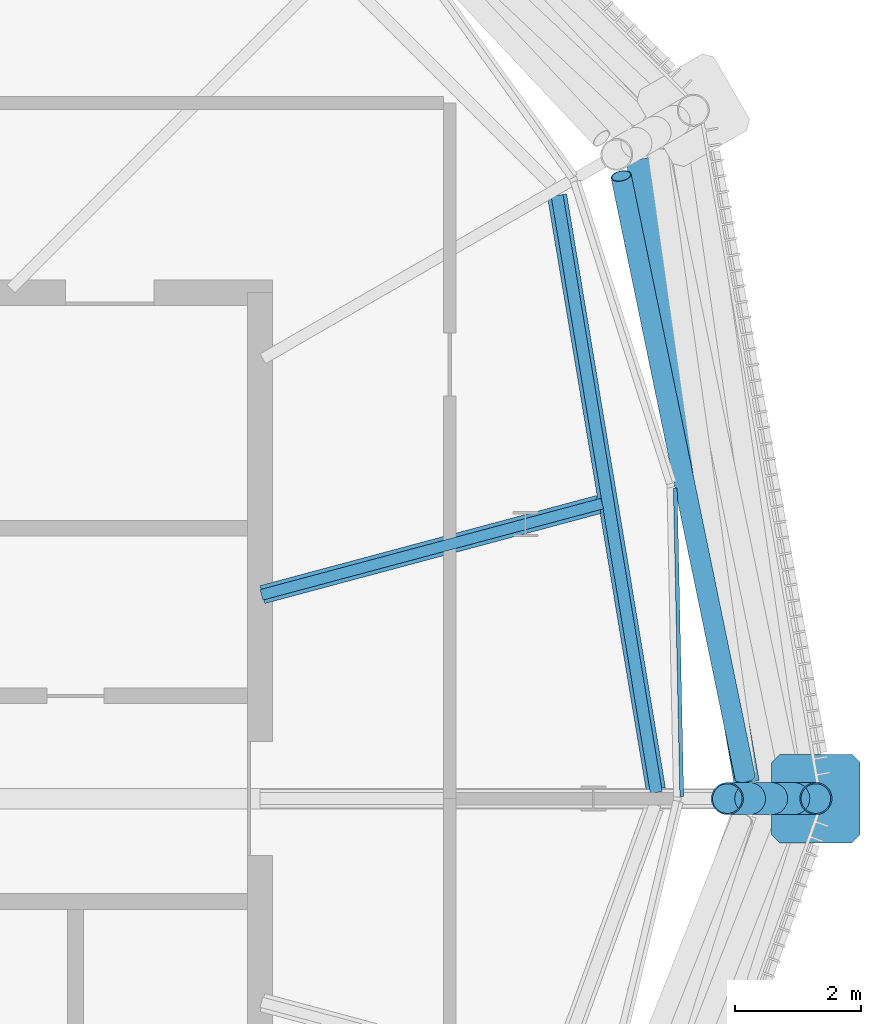
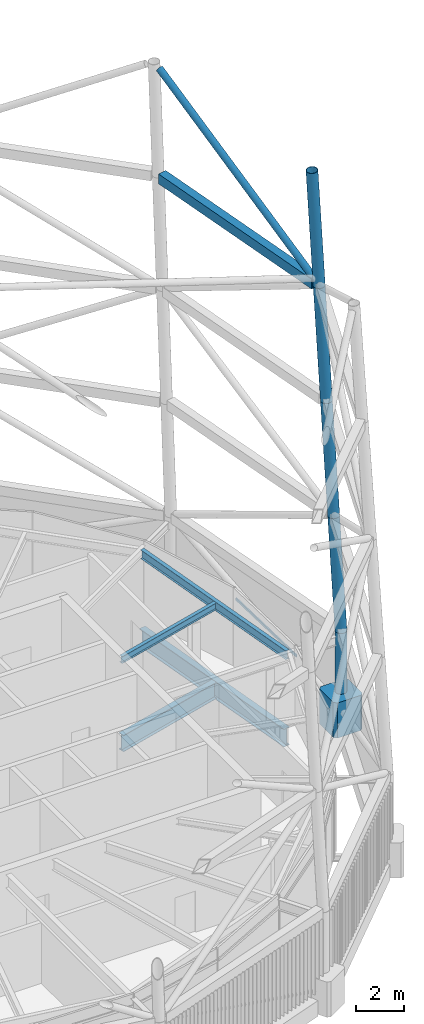
# One storey, part 53 of 71: 8 members, 5 beams, 1 element without a shape of its own.
"""IFC4 building model written with IfcOpenShell, lengths in metres."""

from ifc_helpers import new_model, si_unit, direction, frame, origin, origin_2d, place, context, subcontext, project, spatial, polyline, rectangle, hollow_rectangle, hollow_circle, i_section, outline, extrude, material, material_profile, profile_set, type_object, element, aggregate, save


model = new_model("IFC4")

# Units and contexts
model_context = context("Model", 3, precision=1e-05, world=origin(), true_north=direction((0.0, 1.0)))
body_context = subcontext(model_context, "Body", "Model", "MODEL_VIEW")
ifc_project = project(units=[si_unit("LENGTHUNIT", "METRE"), si_unit("AREAUNIT", "SQUARE_METRE"), si_unit("VOLUMEUNIT", "CUBIC_METRE"), si_unit("PLANEANGLEUNIT", "RADIAN"), si_unit("MASSUNIT", "GRAM", prefix="KILO")], contexts=[model_context])

# Site, building, storey
site_placement = place(None, origin())
site = spatial("IfcSite", under=ifc_project, at=site_placement, CompositionType="ELEMENT")
building_placement = place(site_placement, origin())
building = spatial("IfcBuilding", under=site, at=building_placement, Name="Rimbun Link Towers", CompositionType="ELEMENT")
storey_placement = place(building_placement, frame((0.0, 0.0, 267.60009765625)))
storey = spatial("IfcBuildingStorey", under=building, at=storey_placement, Name="L65", CompositionType="ELEMENT", Elevation=267.60009765625)

# Curtain wall, member
ifc_material_1 = material(Name="Aluminium 6063-T6 louvre wall", Category="aluminium")
curtain_wall_type = type_object("IfcCurtainWallType", Name="CW6 plant floor louvre wall", PredefinedType="NOTDEFINED", material=ifc_material_1)
curtain_wall_placement = place(storey_placement, origin())
curtain_wall = element("IfcCurtainWall", 1, at=curtain_wall_placement, inside=storey, type_object=curtain_wall_type, Name="CW6 L65 T2", PredefinedType="NOTDEFINED")
ifc_material_2 = material(Name="Aluminium 6063-T6", Category="aluminium")
ifc_material_profile_1 = material_profile(ifc_material_2, rectangle(XDim=0.06005859375, YDim=0.1201171875, at=origin_2d()), Name="TRANSOM 60X120")
ifc_profile_set_1 = profile_set([ifc_material_profile_1], Name="Aluminium 6063-T6")
member_type_1 = type_object("IfcMemberType", Name="CW6 transom 60X120", PredefinedType="USERDEFINED", material=ifc_profile_set_1)
member_1_placement = place(storey_placement, frame((50.31689453125, 4.912841796875, 3.39990234375), z_axis=(0.021106908234, -0.999777224398, 0.0), x_axis=(0.999777224398, 0.021106908234, 0.0)))
member_1 = element("IfcMember", 2, at=member_1_placement, type_object=member_type_1, Name="CW6 transom", ObjectType="TRANSOM", PredefinedType="USERDEFINED", context=body_context, shape_type="SweptSolid", body=[
    extrude(rectangle(XDim=0.06005859375, YDim=0.1201171875, at=origin_2d()), origin(), (0.0, 0.0, 1.0), 4.881103515625),
])
aggregate(curtain_wall, [member_1])

# Members
ifc_material_3 = material(Name="Steel S355J2H", Category="steel")
ifc_material_profile_2 = material_profile(ifc_material_3, hollow_circle(Radius=0.161865234375, WallThickness=0.011962890625, at=origin_2d()), Name="Crown frame brace CHS 324x12")
ifc_profile_set_2 = profile_set([ifc_material_profile_2], Name="Steel S355J2H")
member_type_2 = type_object("IfcMemberType", Name="Crown frame brace CHS 324x12", PredefinedType="BRACE", material=ifc_profile_set_2)
member_2_placement = place(storey_placement, frame((51.42041015625, 0.33935546875, 22.19970703125), z_axis=(-0.174950486497, 0.848302881974, 0.499774496857), x_axis=(-0.979388601982, -0.201985064565, 0.0)))
element("IfcMember", 3, at=member_2_placement, inside=storey, type_object=member_type_2, Name="CROWN FRAME brace T2 5-10", PredefinedType="BRACE", context=body_context, shape_type="SweptSolid", body=[
    extrude(hollow_circle(Radius=0.161865234375, WallThickness=0.011962890625, at=origin_2d()), origin(), (0.0, 0.0, 1.0), 11.205810546875),
])
ifc_material_4 = material(Name="Steel S355J2H", Category="steel")
ifc_material_profile_3 = material_profile(ifc_material_4, hollow_circle(Radius=0.25390625, WallThickness=0.02001953125, at=origin_2d()), Name="Crown frame post CHS 508x20")
ifc_profile_set_3 = profile_set([ifc_material_profile_3], Name="Steel S355J2H")
member_type_3 = type_object("IfcMemberType", Name="Crown frame post CHS 508x20", PredefinedType="POST", material=ifc_profile_set_3)
member_3_placement = place(storey_placement, frame((52.54052734375, 0.0, 0.0), z_axis=(0.0, 0.0, 1.0), x_axis=(1.0, 0.0, 0.0)))
element("IfcMember", 4, at=member_3_placement, inside=storey, type_object=member_type_3, Name="CROWN FRAME post T2 1-10", PredefinedType="POST", context=body_context, shape_type="SweptSolid", body=[
    extrude(hollow_circle(Radius=0.25390625, WallThickness=0.02001953125, at=origin_2d()), origin(), (0.0, 0.0, 1.0), 4.0),
])
for number, where, z_axis, x_axis, name in (
    (5, (52.54052734375, 0.0, 4.0), (-0.058250531515, 0.0, 0.998301996181), (0.0, -1.0, 0.0), "CROWN FRAME post T2 2-10"),
    (6, (52.1904296875, 0.0, 10.0), (-0.058210048192, 0.0, 0.998304357543), (0.0, -1.0, 0.0), "CROWN FRAME post T2 3-10"),
    (7, (51.840576171875, 0.0, 16.0), (-0.058250531515, 0.0, 0.998301996181), (0.0, -1.0, 0.0), "CROWN FRAME post T2 4-10"),
    (8, (51.490478515625, 0.0, 22.0), (-0.058250531515, 0.0, 0.998301996181), (0.0, -1.0, 0.0), "CROWN FRAME post T2 5-10"),
):
    element("IfcMember", number, at=place(storey_placement, frame(where, z_axis=z_axis, x_axis=x_axis)), inside=storey, type_object=member_type_3, Name=name, PredefinedType="POST", context=body_context, shape_type="SweptSolid", body=[
        extrude(hollow_circle(Radius=0.25390625, WallThickness=0.02001953125, at=origin_2d()), origin(), (0.0, 0.0, 1.0), 6.01025390625),
    ])

# Beam
ifc_material_5 = material(Name="Steel S355J2", Category="steel")
ifc_material_profile_4 = material_profile(ifc_material_5, hollow_rectangle(XDim=0.39990234375, YDim=0.5, WallThickness=0.02001953125, at=origin_2d()), Name="Crown frame ring beam BOX 400x500x20")
ifc_profile_set_4 = profile_set([ifc_material_profile_4], Name="Steel S355J2")
beam_type_1 = type_object("IfcBeamType", Name="Crown frame ring beam BOX 400x500x20", PredefinedType="BEAM", material=ifc_profile_set_4)
beam_1_placement = place(storey_placement, frame((51.447021484375, 0.250244140625, 22.0), z_axis=(-0.170963269801, 0.985277402755, 0.0), x_axis=(-0.985277402755, -0.170963269801, 0.0)))
element("IfcBeam", 9, at=beam_1_placement, inside=storey, type_object=beam_type_1, Name="CROWN FRAME ring beam T2 4-10", PredefinedType="BEAM", context=body_context, shape_type="SweptSolid", body=[
    extrude(hollow_rectangle(XDim=0.39990234375, YDim=0.5, WallThickness=0.02001953125, at=origin_2d()), origin(), (0.0, 0.0, 1.0), 10.006103515625),
])

# Member
ifc_material_6 = material(Name="Cast steel G20Mn5+QT, Rp0.2 300 MPa", Category="steel")
ifc_material_profile_5 = material_profile(ifc_material_6, outline(polyline([(0.699951171875, -0.570068359375), (0.699951171875, 0.570068359375), (0.570068359375, 0.699951171875), (-0.570068359375, 0.699951171875), (-0.699951171875, 0.570068359375), (-0.699951171875, -0.570068359375), (-0.570068359375, -0.699951171875), (0.570068359375, -0.699951171875), (0.699951171875, -0.570068359375)])), Name="NODE 1400x1400")
ifc_profile_set_5 = profile_set([ifc_material_profile_5], Name="Cast steel G20Mn5+QT, Rp0.2 300 MPa")
member_type_4 = type_object("IfcMemberType", Name="Diagrid node cast 1400", PredefinedType="USERDEFINED", material=ifc_profile_set_5)
member_4_placement = place(storey_placement, frame((52.54052734375, 0.0, -0.900146484375), z_axis=(0.0, 0.0, 1.0), x_axis=(1.0, 0.0, 0.0)))
element("IfcMember", 10, at=member_4_placement, inside=storey, type_object=member_type_4, Name="Diagrid node L65 21", ObjectType="Diagrid node", PredefinedType="USERDEFINED", context=body_context, shape_type="SweptSolid", body=[
    extrude(outline(polyline([(0.699951171875, -0.570068359375), (0.699951171875, 0.570068359375), (0.570068359375, 0.699951171875), (-0.570068359375, 0.699951171875), (-0.699951171875, 0.570068359375), (-0.699951171875, -0.570068359375), (-0.570068359375, -0.699951171875), (0.570068359375, -0.699951171875), (0.699951171875, -0.570068359375)])), origin(), (0.0, 0.0, 1.0), 1.800048828125),
])

# Beams
ifc_material_7 = material(Name="Steel S355J2", Category="steel")
ifc_material_profile_6 = material_profile(ifc_material_7, i_section(OverallWidth=0.17138671875, OverallDepth=0.35498046875, WebThickness=0.00732421875, FlangeThickness=0.011474609375, at=origin_2d()), Name="UB 356x171x51")
ifc_profile_set_6 = profile_set([ifc_material_profile_6], Name="Steel S355J2")
beam_type_2 = type_object("IfcBeamType", Name="UB 356x171x51", PredefinedType="BEAM", material=ifc_profile_set_6)
beam_2_placement = place(storey_placement, frame((43.773193359375, 3.2216796875, 3.622314453125), z_axis=(0.965934961398, 0.258784950006, 0.0), x_axis=(-0.258784950006, 0.965934961398, 0.0)))
element("IfcBeam", 11, at=beam_2_placement, inside=storey, type_object=beam_type_2, Name="Radial beam T2 L65 22", PredefinedType="BEAM", context=body_context, shape_type="SweptSolid", body=[
    extrude(i_section(OverallWidth=0.17138671875, OverallDepth=0.35498046875, WebThickness=0.00732421875, FlangeThickness=0.011474609375, at=origin_2d()), origin(), (0.0, 0.0, 1.0), 5.577392578125),
])
ifc_material_8 = material(Name="Steel S355J2", Category="steel")
ifc_material_profile_7 = material_profile(ifc_material_8, i_section(OverallWidth=0.18994140625, OverallDepth=0.453369140625, WebThickness=0.008544921875, FlangeThickness=0.0126953125, at=origin_2d()), Name="UB 457x191x67")
ifc_profile_set_7 = profile_set([ifc_material_profile_7], Name="Steel S355J2")
beam_type_3 = type_object("IfcBeamType", Name="UB 457x191x67", PredefinedType="BEAM", material=ifc_profile_set_7)
beam_3_placement = place(storey_placement, frame((50.017578125, 0.095947265625, 3.5732421875), z_axis=(-0.164005977125, 0.986459345066, 0.0), x_axis=(-0.986459345066, -0.164005977125, 0.0)))
element("IfcBeam", 12, at=beam_3_placement, inside=storey, type_object=beam_type_3, Name="Edge beam T2 L65 21-23", PredefinedType="BEAM", context=body_context, shape_type="SweptSolid", body=[
    extrude(i_section(OverallWidth=0.18994140625, OverallDepth=0.453369140625, WebThickness=0.008544921875, FlangeThickness=0.0126953125, at=origin_2d()), origin(), (0.0, 0.0, 1.0), 9.5703125),
])
ifc_material_9 = material(Name="Steel S355J2", Category="steel")
ifc_material_profile_8 = material_profile(ifc_material_9, i_section(OverallWidth=0.29248046875, OverallDepth=0.8408203125, WebThickness=0.0126953125, FlangeThickness=0.021728515625, at=origin_2d()), Name="UB 838x292x194")
ifc_profile_set_8 = profile_set([ifc_material_profile_8], Name="Steel S355J2")
beam_type_4 = type_object("IfcBeamType", Name="UB 838x292x194", PredefinedType="BEAM", material=ifc_profile_set_8)
beam_4_placement = place(storey_placement, frame((43.788818359375, 3.225830078125, -0.620361328125), z_axis=(0.96592646697, 0.258816654035, 0.0), x_axis=(-0.258816654035, 0.96592646697, 0.0)))
element("IfcBeam", 13, at=beam_4_placement, inside=storey, type_object=beam_type_4, Name="Radial beam T2 L65 22", PredefinedType="BEAM", context=body_context, shape_type="SweptSolid", body=[
    extrude(i_section(OverallWidth=0.29248046875, OverallDepth=0.8408203125, WebThickness=0.0126953125, FlangeThickness=0.021728515625, at=origin_2d()), origin(), (0.0, 0.0, 1.0), 5.503173828125),
])
ifc_material_10 = material(Name="Steel S355J2", Category="steel")
ifc_material_profile_9 = material_profile(ifc_material_10, i_section(OverallWidth=0.305419921875, OverallDepth=0.91845703125, WebThickness=0.017333984375, FlangeThickness=0.02783203125, at=origin_2d()), Name="UB 914x305x253")
ifc_profile_set_9 = profile_set([ifc_material_profile_9], Name="Steel S355J2")
beam_type_5 = type_object("IfcBeamType", Name="UB 914x305x253", PredefinedType="BEAM", material=ifc_profile_set_9)
beam_5_placement = place(storey_placement, frame((50.009033203125, 0.147216796875, -0.6591796875), z_axis=(-0.164003830933, 0.986459701883, 0.0), x_axis=(-0.986459701883, -0.164003830933, 0.0)))
element("IfcBeam", 14, at=beam_5_placement, inside=storey, type_object=beam_type_5, Name="Edge beam T2 L65 21-23", PredefinedType="BEAM", context=body_context, shape_type="SweptSolid", body=[
    extrude(i_section(OverallWidth=0.305419921875, OverallDepth=0.91845703125, WebThickness=0.017333984375, FlangeThickness=0.02783203125, at=origin_2d()), origin(), (0.0, 0.0, 1.0), 9.518310546875),
])

save(model, "model.ifc")
